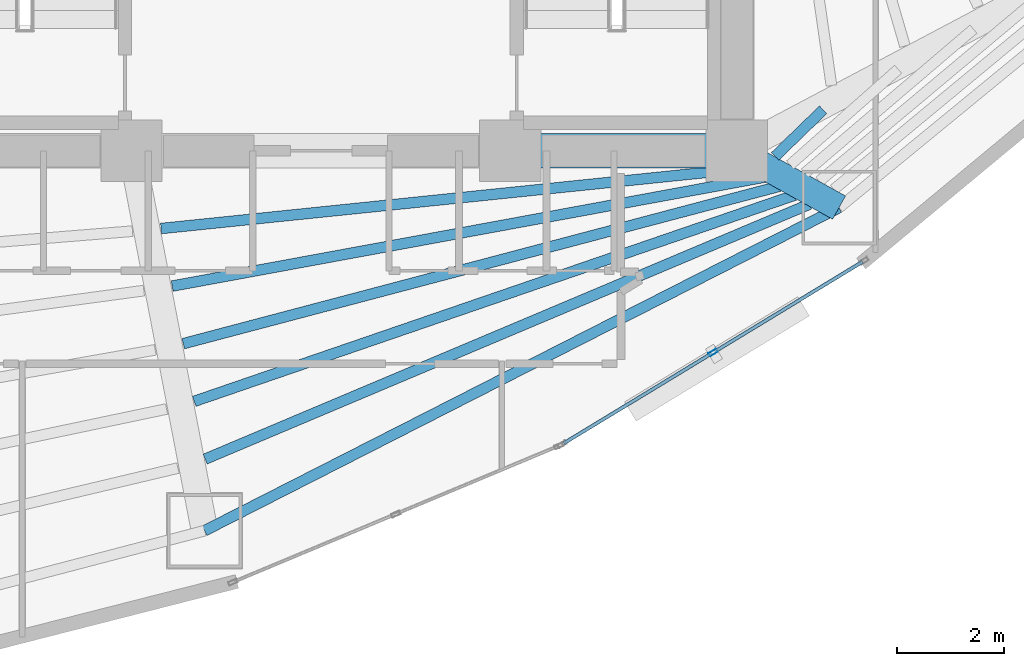
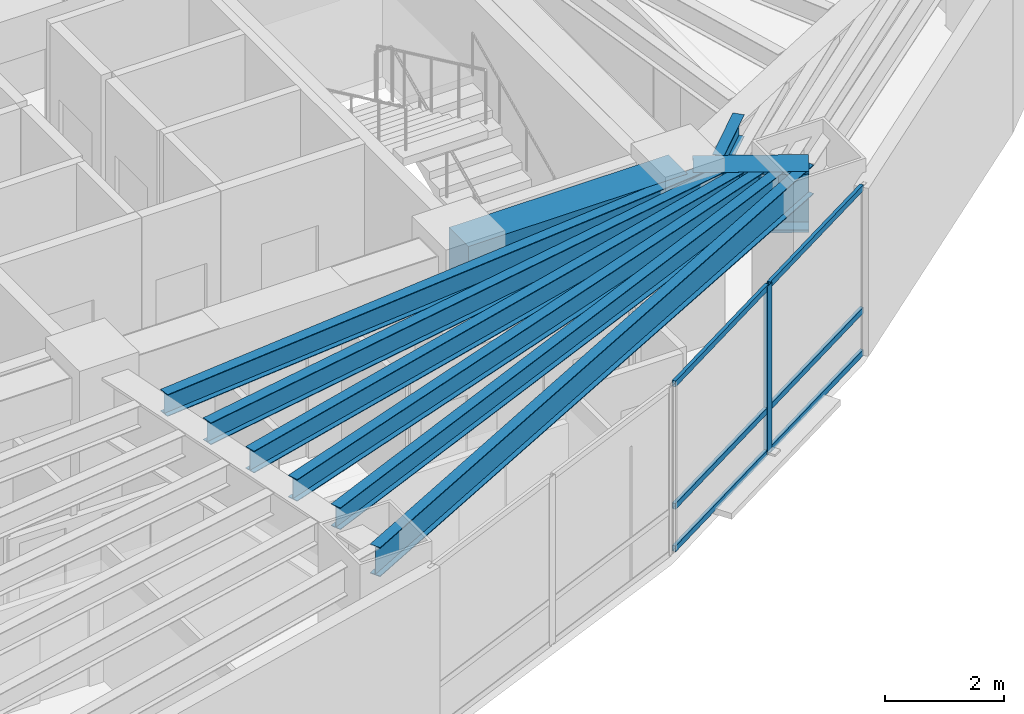
# One storey, part 5 of 18: 9 beams, 7 members, 1 element without a shape of its own.
"""IFC4 building model written with IfcOpenShell, lengths in metres."""

from ifc_helpers import new_model, si_unit, direction, frame, origin, origin_2d, place, context, subcontext, project, spatial, rectangle, hollow_rectangle, i_section, extrude, material, layer, layer_set, material_profile, profile_set, type_object, element, aggregate, save


model = new_model("IFC4")

# Units and contexts
model_context = context("Model", 3, precision=1e-05, world=origin(), true_north=direction((0.0, 1.0)))
body_context = subcontext(model_context, "Body", "Model", "MODEL_VIEW")
ifc_project = project(units=[si_unit("LENGTHUNIT", "METRE"), si_unit("AREAUNIT", "SQUARE_METRE"), si_unit("VOLUMEUNIT", "CUBIC_METRE"), si_unit("PLANEANGLEUNIT", "RADIAN"), si_unit("MASSUNIT", "GRAM", prefix="KILO")], contexts=[model_context])

# Site, building, storey
site_placement = place(None, origin())
site = spatial("IfcSite", under=ifc_project, at=site_placement, CompositionType="ELEMENT")
building_placement = place(site_placement, origin())
building = spatial("IfcBuilding", under=site, at=building_placement, Name="Menara Vayukalpa", CompositionType="ELEMENT")
storey_placement = place(building_placement, frame((0.0, 0.0, 53.639892578125)))
storey = spatial("IfcBuildingStorey", under=building, at=storey_placement, Name="L12", CompositionType="ELEMENT", Elevation=53.639892578125)

# Beams
ifc_material_1 = material(Name="Concrete C60/75", Category="concrete")
ifc_material_profile_1 = material_profile(ifc_material_1, rectangle(XDim=0.64990234375, YDim=0.85009765625, at=origin_2d()), Name="RC 650x850")
ifc_profile_set_1 = profile_set([ifc_material_profile_1], Name="Concrete C60/75")
beam_type_1 = type_object("IfcBeamType", Name="BM-CB1", PredefinedType="BEAM", material=ifc_profile_set_1)
beam_1_placement = place(storey_placement, frame((29.14990234375, 17.199951171875, 3.01513671875), z_axis=(1.0, 0.0, 0.0), x_axis=(0.0, 1.0, 0.0)))
element("IfcBeam", 1, at=beam_1_placement, inside=storey, type_object=beam_type_1, Name="L12 Core Tie Beam CBR3", PredefinedType="BEAM", context=body_context, shape_type="SweptSolid", body=[
    extrude(rectangle(XDim=0.64990234375, YDim=0.85009765625, at=origin_2d()), origin(), (0.0, 0.0, 1.0), 4.25),
])
ifc_material_2 = material(Name="Steel S355", Category="steel")
ifc_material_profile_2 = material_profile(ifc_material_2, i_section(OverallWidth=0.199951171875, OverallDepth=0.449951171875, WebThickness=0.009033203125, FlangeThickness=0.013916015625, at=origin_2d()), Name="WF 450x200x9x14")
ifc_profile_set_2 = profile_set([ifc_material_profile_2], Name="Steel S355")
beam_type_2 = type_object("IfcBeamType", Name="BM-SJ1", PredefinedType="JOIST", material=ifc_profile_set_2)
beam_2_placement = place(storey_placement, frame((22.603759765625, 15.744140625, 3.215087890625), z_axis=(0.994745866007, 0.102375104699, 0.0), x_axis=(-0.102375104699, 0.994745866007, 0.0)))
element("IfcBeam", 2, at=beam_2_placement, inside=storey, type_object=beam_type_2, Name="L12 Secondary Floor Joist SJ08-1", PredefinedType="JOIST", context=body_context, shape_type="SweptSolid", body=[
    extrude(i_section(OverallWidth=0.199951171875, OverallDepth=0.449951171875, WebThickness=0.009033203125, FlangeThickness=0.013916015625, at=origin_2d()), origin(), (0.0, 0.0, 1.0), 11.110595703125),
])
beam_3_placement = place(storey_placement, frame((22.812255859375, 14.6650390625, 3.215087890625), z_axis=(0.983508224287, 0.180863409126, 0.0), x_axis=(-0.180863409126, 0.983508224287, 0.0)))
element("IfcBeam", 3, at=beam_3_placement, inside=storey, type_object=beam_type_2, Name="L12 Secondary Floor Joist SJ08-2", PredefinedType="JOIST", context=body_context, shape_type="SweptSolid", body=[
    extrude(i_section(OverallWidth=0.199951171875, OverallDepth=0.449951171875, WebThickness=0.009033203125, FlangeThickness=0.013916015625, at=origin_2d()), origin(), (0.0, 0.0, 1.0), 11.30517578125),
])
beam_4_placement = place(storey_placement, frame((23.019287109375, 13.584716796875, 3.215087890625), z_axis=(0.966863767384, 0.255292881451, 0.0), x_axis=(-0.255292881451, 0.966863767384, 0.0)))
element("IfcBeam", 4, at=beam_4_placement, inside=storey, type_object=beam_type_2, Name="L12 Secondary Floor Joist SJ08-3", PredefinedType="JOIST", context=body_context, shape_type="SweptSolid", body=[
    extrude(i_section(OverallWidth=0.199951171875, OverallDepth=0.449951171875, WebThickness=0.009033203125, FlangeThickness=0.013916015625, at=origin_2d()), origin(), (0.0, 0.0, 1.0), 11.571533203125),
])
beam_5_placement = place(storey_placement, frame((23.22509765625, 12.503173828125, 3.215087890625), z_axis=(0.945798447073, 0.324754210925, 0.0), x_axis=(-0.324754210925, 0.945798447073, 0.0)))
element("IfcBeam", 5, at=beam_5_placement, inside=storey, type_object=beam_type_2, Name="L12 Secondary Floor Joist SJ08-4", PredefinedType="JOIST", context=body_context, shape_type="SweptSolid", body=[
    extrude(i_section(OverallWidth=0.199951171875, OverallDepth=0.449951171875, WebThickness=0.009033203125, FlangeThickness=0.013916015625, at=origin_2d()), origin(), (0.0, 0.0, 1.0), 11.905029296875),
])
beam_6_placement = place(storey_placement, frame((23.43017578125, 11.420166015625, 3.215087890625), z_axis=(0.921363161357, 0.38870287482, 0.0), x_axis=(-0.38870287482, 0.921363161357, 0.0)))
element("IfcBeam", 6, at=beam_6_placement, inside=storey, type_object=beam_type_2, Name="L12 Secondary Floor Joist SJ08-5", PredefinedType="JOIST", context=body_context, shape_type="SweptSolid", body=[
    extrude(i_section(OverallWidth=0.199951171875, OverallDepth=0.449951171875, WebThickness=0.009033203125, FlangeThickness=0.013916015625, at=origin_2d()), origin(), (0.0, 0.0, 1.0), 12.300537109375),
])
beam_7_placement = place(storey_placement, frame((34.118408203125, 17.097412109375, 3.215087890625), z_axis=(0.717434881251, 0.696625574584, 0.0), x_axis=(-0.696625574584, 0.717434881251, 0.0)))
element("IfcBeam", 7, at=beam_7_placement, inside=storey, type_object=beam_type_2, Name="L12 Secondary Floor Joist SJ09-1", PredefinedType="JOIST", context=body_context, shape_type="SweptSolid", body=[
    extrude(i_section(OverallWidth=0.199951171875, OverallDepth=0.449951171875, WebThickness=0.009033203125, FlangeThickness=0.013916015625, at=origin_2d()), origin(), (0.0, 0.0, 1.0), 1.25537109375),
])
ifc_material_3 = material(Name="Steel S355", Category="steel")
ifc_material_profile_3 = material_profile(ifc_material_3, i_section(OverallWidth=0.199951171875, OverallDepth=0.60009765625, WebThickness=0.010986328125, FlangeThickness=0.01708984375, at=origin_2d()), Name="WF 600x200x11x17")
ifc_profile_set_3 = profile_set([ifc_material_profile_3], Name="Steel S355")
beam_type_3 = type_object("IfcBeamType", Name="BM-SP1", PredefinedType="SPANDREL", material=ifc_profile_set_3)
beam_8_placement = place(storey_placement, frame((23.41943359375, 10.0771484375, 3.14013671875), z_axis=(0.891100743313, 0.453805536841, 0.0), x_axis=(-0.453805536841, 0.891100743313, 0.0)))
element("IfcBeam", 8, at=beam_8_placement, inside=storey, type_object=beam_type_3, Name="L12 Perimeter Spandrel Beam SP08", PredefinedType="SPANDREL", context=body_context, shape_type="SweptSolid", body=[
    extrude(i_section(OverallWidth=0.199951171875, OverallDepth=0.60009765625, WebThickness=0.010986328125, FlangeThickness=0.01708984375, at=origin_2d()), origin(), (0.0, 0.0, 1.0), 13.352783203125),
])
ifc_material_4 = material(Name="Steel S460", Category="steel")
ifc_material_profile_4 = material_profile(ifc_material_4, i_section(OverallWidth=0.5, OverallDepth=1.25, WebThickness=0.028076171875, FlangeThickness=0.054931640625, at=origin_2d()), Name="WG 1250x500x28x55")
ifc_profile_set_4 = profile_set([ifc_material_profile_4], Name="Steel S460")
beam_type_4 = type_object("IfcBeamType", Name="BM-TG2", PredefinedType="BEAM", material=ifc_profile_set_4)
beam_9_placement = place(storey_placement, frame((33.61865234375, 17.078857421875, 2.815185546875), z_axis=(0.87459548214, -0.484853320727, 0.0), x_axis=(0.484853320727, 0.87459548214, 0.0)))
element("IfcBeam", 9, at=beam_9_placement, inside=storey, type_object=beam_type_4, Name="L12 Primary Radial Girder RG09", PredefinedType="BEAM", context=body_context, shape_type="SweptSolid", body=[
    extrude(i_section(OverallWidth=0.5, OverallDepth=1.25, WebThickness=0.028076171875, FlangeThickness=0.054931640625, at=origin_2d()), origin(), (0.0, 0.0, 1.0), 1.943115234375),
])

# Curtain wall, members
ifc_material_5 = material(Name="Anodised Terracotta Aluminium Alloy 6063-T6", Category="masonry")
ifc_layer = layer(ifc_material_5, 0.1650390625)
ifc_layer_set = layer_set([ifc_layer], Name="Anodised Terracotta Aluminium Alloy 6063-T6")
curtain_wall_type = type_object("IfcCurtainWallType", Name="CW-CW2", PredefinedType="USERDEFINED", material=ifc_layer_set)
curtain_wall_placement = place(storey_placement, origin())
curtain_wall = element("IfcCurtainWall", 10, at=curtain_wall_placement, inside=storey, type_object=curtain_wall_type, Name="L12 Low Rise Terracotta Ribbon Curtain Wall CW2 17", ObjectType="UNITISED", PredefinedType="USERDEFINED")
ifc_material_6 = material(Name="Anodised Terracotta Aluminium Alloy 6063-T6", Category="masonry")
ifc_material_profile_5 = material_profile(ifc_material_6, hollow_rectangle(XDim=0.070068359375, YDim=0.1650390625, WallThickness=0.00390625, at=origin_2d()), Name="ALU 70x165x4")
ifc_profile_set_5 = profile_set([ifc_material_profile_5], Name="Anodised Terracotta Aluminium Alloy 6063-T6")
member_type_1 = type_object("IfcMemberType", Name="CWM-CW2", PredefinedType="MULLION", material=ifc_profile_set_5)
member_1_placement = place(storey_placement, frame((32.9560546875, 13.418701171875, 0.0), z_axis=(0.0, 0.0, 1.0), x_axis=(-0.519181964377, 0.854663727945, 0.0)))
member_1 = element("IfcMember", 11, at=member_1_placement, type_object=member_type_1, Name="CW2 mullion 2", PredefinedType="MULLION", context=body_context, shape_type="SweptSolid", body=[
    extrude(hollow_rectangle(XDim=0.070068359375, YDim=0.1650390625, WallThickness=0.00390625, at=origin_2d()), origin(), (0.0, 0.0, 1.0), 3.440185546875),
])
ifc_material_7 = material(Name="Anodised Terracotta Aluminium Alloy 6063-T6", Category="masonry")
ifc_material_profile_6 = material_profile(ifc_material_7, hollow_rectangle(XDim=0.06494140625, YDim=0.1201171875, WallThickness=0.00341796875, at=origin_2d()), Name="ALU 65x120x3.5")
ifc_profile_set_6 = profile_set([ifc_material_profile_6], Name="Anodised Terracotta Aluminium Alloy 6063-T6")
member_type_2 = type_object("IfcMemberType", Name="CWT-CW2", PredefinedType="USERDEFINED", material=ifc_profile_set_6)
member_2_placement = place(storey_placement, frame((30.155029296875, 11.717041015625, 0.03271484375), z_axis=(0.854676552714, 0.519160851992, 0.0), x_axis=(-0.519160851992, 0.854676552714, 0.0)))
member_2 = element("IfcMember", 12, at=member_2_placement, type_object=member_type_2, Name="CW2 transom 1.1", ObjectType="TRANSOM", PredefinedType="USERDEFINED", context=body_context, shape_type="SweptSolid", body=[
    extrude(hollow_rectangle(XDim=0.06494140625, YDim=0.1201171875, WallThickness=0.00341796875, at=origin_2d()), origin(), (0.0, 0.0, 1.0), 3.242431640625),
])
member_3_placement = place(storey_placement, frame((30.155029296875, 11.717041015625, 0.900146484375), z_axis=(0.854676552714, 0.519160851992, 0.0), x_axis=(-0.519160851992, 0.854676552714, 0.0)))
member_3 = element("IfcMember", 13, at=member_3_placement, type_object=member_type_2, Name="CW2 transom 1.2", ObjectType="TRANSOM", PredefinedType="USERDEFINED", context=body_context, shape_type="SweptSolid", body=[
    extrude(hollow_rectangle(XDim=0.06494140625, YDim=0.1201171875, WallThickness=0.00341796875, at=origin_2d()), origin(), (0.0, 0.0, 1.0), 3.242431640625),
])
member_4_placement = place(storey_placement, frame((30.155029296875, 11.717041015625, 3.40771484375), z_axis=(0.854676552714, 0.519160851992, 0.0), x_axis=(-0.519160851992, 0.854676552714, 0.0)))
member_4 = element("IfcMember", 14, at=member_4_placement, type_object=member_type_2, Name="CW2 transom 1.3", ObjectType="TRANSOM", PredefinedType="USERDEFINED", context=body_context, shape_type="SweptSolid", body=[
    extrude(hollow_rectangle(XDim=0.06494140625, YDim=0.1201171875, WallThickness=0.00341796875, at=origin_2d()), origin(), (0.0, 0.0, 1.0), 3.242431640625),
])
member_5_placement = place(storey_placement, frame((32.986083984375, 13.436767578125, 0.03271484375), z_axis=(0.854643142641, 0.519215849851, 0.0), x_axis=(-0.519215849851, 0.854643142641, 0.0)))
member_5 = element("IfcMember", 15, at=member_5_placement, type_object=member_type_2, Name="CW2 transom 2.1", ObjectType="TRANSOM", PredefinedType="USERDEFINED", context=body_context, shape_type="SweptSolid", body=[
    extrude(hollow_rectangle(XDim=0.06494140625, YDim=0.1201171875, WallThickness=0.00341796875, at=origin_2d()), origin(), (0.0, 0.0, 1.0), 3.24267578125),
])
member_6_placement = place(storey_placement, frame((32.986083984375, 13.436767578125, 0.900146484375), z_axis=(0.854643142641, 0.519215849851, 0.0), x_axis=(-0.519215849851, 0.854643142641, 0.0)))
member_6 = element("IfcMember", 16, at=member_6_placement, type_object=member_type_2, Name="CW2 transom 2.2", ObjectType="TRANSOM", PredefinedType="USERDEFINED", context=body_context, shape_type="SweptSolid", body=[
    extrude(hollow_rectangle(XDim=0.06494140625, YDim=0.1201171875, WallThickness=0.00341796875, at=origin_2d()), origin(), (0.0, 0.0, 1.0), 3.24267578125),
])
member_7_placement = place(storey_placement, frame((32.986083984375, 13.436767578125, 3.40771484375), z_axis=(0.854643142641, 0.519215849851, 0.0), x_axis=(-0.519215849851, 0.854643142641, 0.0)))
member_7 = element("IfcMember", 17, at=member_7_placement, type_object=member_type_2, Name="CW2 transom 2.3", ObjectType="TRANSOM", PredefinedType="USERDEFINED", context=body_context, shape_type="SweptSolid", body=[
    extrude(hollow_rectangle(XDim=0.06494140625, YDim=0.1201171875, WallThickness=0.00341796875, at=origin_2d()), origin(), (0.0, 0.0, 1.0), 3.24267578125),
])
aggregate(curtain_wall, [member_1, member_2, member_3, member_4, member_5, member_6, member_7])

save(model, "model.ifc")
